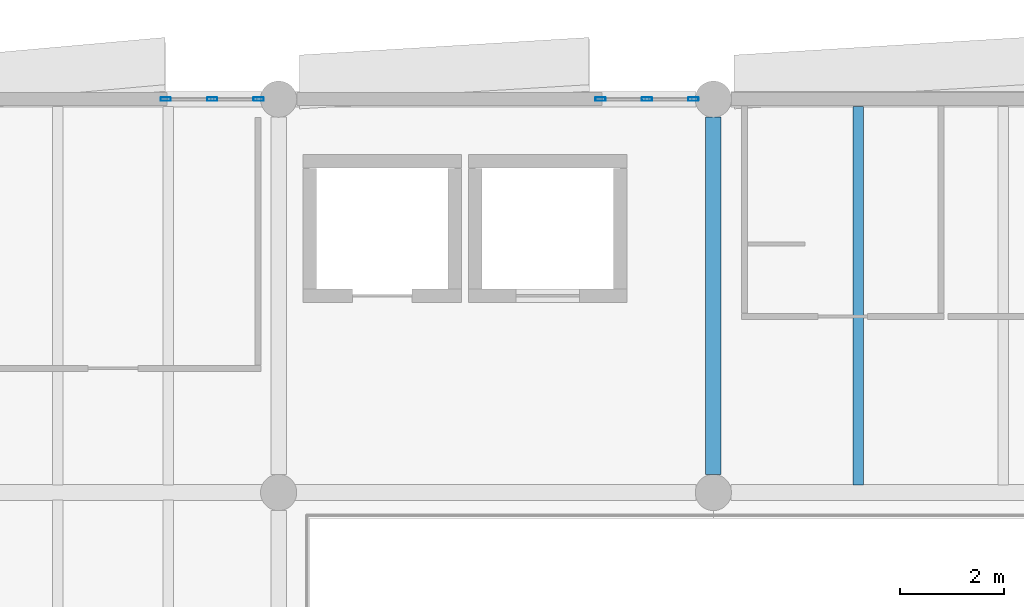
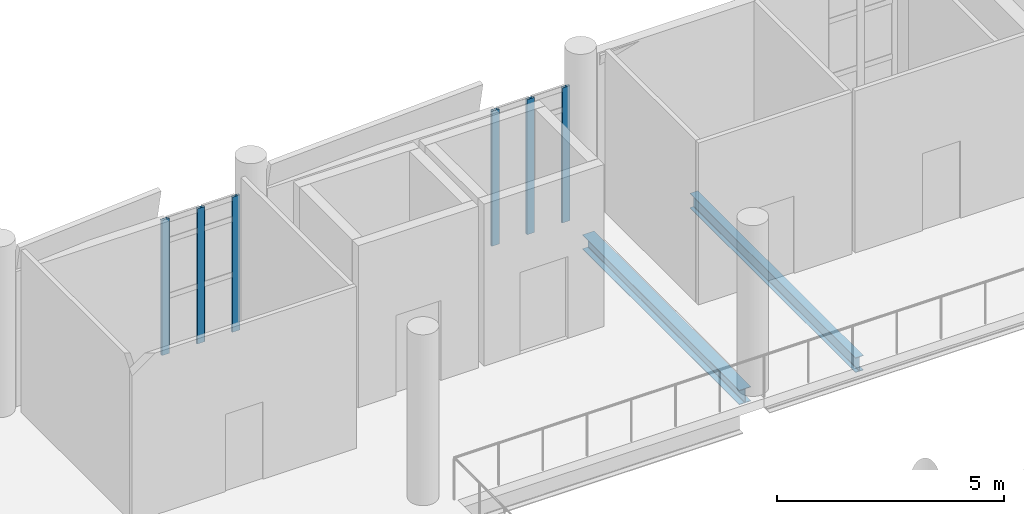
# One storey, part 24 of 74: 6 members, 2 beams, 2 elements without a shape of their own.
"""IFC4 building model written with IfcOpenShell, lengths in metres."""

from ifc_helpers import new_model, si_unit, direction, frame, origin, origin_2d, place, context, subcontext, project, spatial, hollow_rectangle, i_section, extrude, material, material_profile, profile_set, type_object, element, aggregate, save


model = new_model("IFC4")

# Units and contexts
model_context = context("Model", 3, precision=1e-05, world=origin(), true_north=direction((0.0, 1.0)))
body_context = subcontext(model_context, "Body", "Model", "MODEL_VIEW")
ifc_project = project(units=[si_unit("LENGTHUNIT", "METRE"), si_unit("AREAUNIT", "SQUARE_METRE"), si_unit("VOLUMEUNIT", "CUBIC_METRE"), si_unit("PLANEANGLEUNIT", "RADIAN"), si_unit("MASSUNIT", "GRAM", prefix="KILO")], contexts=[model_context])

# Site, building, storey
site_placement = place(None, origin())
site = spatial("IfcSite", under=ifc_project, at=site_placement, CompositionType="ELEMENT")
building_placement = place(site_placement, origin())
building = spatial("IfcBuilding", under=site, at=building_placement, Name="Shengluoqiao Park Theatre", CompositionType="ELEMENT")
storey_placement = place(building_placement, frame((0.0, 0.0, 14.60009765625)))
storey = spatial("IfcBuildingStorey", under=building, at=storey_placement, Name="L03", CompositionType="ELEMENT", Elevation=14.60009765625)

# Curtain wall, members
ifc_material_1 = material(Name="Aluminium 6063-T6", Category="aluminium")
curtain_wall_type = type_object("IfcCurtainWallType", Name="ENV-CW-FOYER", PredefinedType="NOTDEFINED", material=ifc_material_1)
curtain_wall_1_placement = place(storey_placement, origin())
curtain_wall_1 = element("IfcCurtainWall", 1, at=curtain_wall_1_placement, inside=storey, type_object=curtain_wall_type, Name="L03 Curtain Wall CW-L03-0077", PredefinedType="NOTDEFINED")
ifc_material_profile_1 = material_profile(ifc_material_1, hollow_rectangle(XDim=0.06494140625, YDim=0.199951171875, WallThickness=0.0048828125, InnerFilletRadius=0.0048828125, OuterFilletRadius=0.010009765625, at=origin_2d()), Name="ALU MULLION 200x65x5")
ifc_profile_set_1 = profile_set([ifc_material_profile_1], Name="Aluminium 6063-T6")
member_type = type_object("IfcMemberType", Name="ENV-MUL-200", PredefinedType="MULLION", material=ifc_profile_set_1)
member_1_placement = place(storey_placement, frame((17.0185546875, 76.0, 0.0), z_axis=(0.0, 0.0, 1.0), x_axis=(0.0, 1.0, 0.0)))
member_1 = element("IfcMember", 2, at=member_1_placement, type_object=member_type, Name="CW-01 mullion 1", PredefinedType="MULLION", context=body_context, shape_type="SweptSolid", body=[
    extrude(hollow_rectangle(XDim=0.06494140625, YDim=0.199951171875, WallThickness=0.0048828125, InnerFilletRadius=0.0048828125, OuterFilletRadius=0.010009765625, at=origin_2d()), origin(), (0.0, 0.0, 1.0), 3.637939453125),
])
member_2_placement = place(storey_placement, frame((17.916015625, 76.0, 0.0), z_axis=(0.0, 0.0, 1.0), x_axis=(0.0, 1.0, 0.0)))
member_2 = element("IfcMember", 3, at=member_2_placement, type_object=member_type, Name="CW-01 mullion 2", PredefinedType="MULLION", context=body_context, shape_type="SweptSolid", body=[
    extrude(hollow_rectangle(XDim=0.06494140625, YDim=0.199951171875, WallThickness=0.0048828125, InnerFilletRadius=0.0048828125, OuterFilletRadius=0.010009765625, at=origin_2d()), origin(), (0.0, 0.0, 1.0), 3.637939453125),
])
member_3_placement = place(storey_placement, frame((18.8134765625, 76.0, 0.0), z_axis=(0.0, 0.0, 1.0), x_axis=(0.0, 1.0, 0.0)))
member_3 = element("IfcMember", 4, at=member_3_placement, type_object=member_type, Name="CW-01 mullion 3", PredefinedType="MULLION", context=body_context, shape_type="SweptSolid", body=[
    extrude(hollow_rectangle(XDim=0.06494140625, YDim=0.199951171875, WallThickness=0.0048828125, InnerFilletRadius=0.0048828125, OuterFilletRadius=0.010009765625, at=origin_2d()), origin(), (0.0, 0.0, 1.0), 3.637939453125),
])
aggregate(curtain_wall_1, [member_1, member_2, member_3])

curtain_wall_2_placement = place(storey_placement, origin())
curtain_wall_2 = element("IfcCurtainWall", 5, at=curtain_wall_2_placement, inside=storey, type_object=curtain_wall_type, Name="L03 Curtain Wall CW-L03-0078", PredefinedType="NOTDEFINED")
member_4_placement = place(storey_placement, frame((25.41845703125, 76.0, 0.0), z_axis=(0.0, 0.0, 1.0), x_axis=(0.0, 1.0, 0.0)))
member_4 = element("IfcMember", 6, at=member_4_placement, type_object=member_type, Name="CW-01 mullion 1", PredefinedType="MULLION", context=body_context, shape_type="SweptSolid", body=[
    extrude(hollow_rectangle(XDim=0.06494140625, YDim=0.199951171875, WallThickness=0.0048828125, InnerFilletRadius=0.0048828125, OuterFilletRadius=0.010009765625, at=origin_2d()), origin(), (0.0, 0.0, 1.0), 3.637939453125),
])
member_5_placement = place(storey_placement, frame((26.31591796875, 76.0, 0.0), z_axis=(0.0, 0.0, 1.0), x_axis=(0.0, 1.0, 0.0)))
member_5 = element("IfcMember", 7, at=member_5_placement, type_object=member_type, Name="CW-01 mullion 2", PredefinedType="MULLION", context=body_context, shape_type="SweptSolid", body=[
    extrude(hollow_rectangle(XDim=0.06494140625, YDim=0.199951171875, WallThickness=0.0048828125, InnerFilletRadius=0.0048828125, OuterFilletRadius=0.010009765625, at=origin_2d()), origin(), (0.0, 0.0, 1.0), 3.637939453125),
])
member_6_placement = place(storey_placement, frame((27.21337890625, 76.0, 0.0), z_axis=(0.0, 0.0, 1.0), x_axis=(0.0, 1.0, 0.0)))
member_6 = element("IfcMember", 8, at=member_6_placement, type_object=member_type, Name="CW-01 mullion 3", PredefinedType="MULLION", context=body_context, shape_type="SweptSolid", body=[
    extrude(hollow_rectangle(XDim=0.06494140625, YDim=0.199951171875, WallThickness=0.0048828125, InnerFilletRadius=0.0048828125, OuterFilletRadius=0.010009765625, at=origin_2d()), origin(), (0.0, 0.0, 1.0), 3.637939453125),
])
aggregate(curtain_wall_2, [member_4, member_5, member_6])

# Beams
ifc_material_2 = material(Name="Steel Q355", Category="steel")
ifc_material_profile_2 = material_profile(ifc_material_2, i_section(OverallWidth=0.300048828125, OverallDepth=0.389892578125, WebThickness=0.010009765625, FlangeThickness=0.01611328125, FilletRadius=0.01806640625, at=origin_2d()), Name="HM 390x300x10x16")
ifc_profile_set_2 = profile_set([ifc_material_profile_2], Name="Steel Q355")
beam_type_1 = type_object("IfcBeamType", Name="STR-BM-G-HM390", PredefinedType="BEAM", material=ifc_profile_set_2)
beam_1_placement = place(storey_placement, frame((27.60009765625, 68.743896484375, -0.43505859375), z_axis=(0.0, 1.0, 0.0), x_axis=(-1.0, 0.0, 0.0)))
element("IfcBeam", 9, at=beam_1_placement, inside=storey, type_object=beam_type_1, Name="L03 Transverse Girder 01319", PredefinedType="BEAM", context=body_context, shape_type="SweptSolid", body=[
    extrude(i_section(OverallWidth=0.300048828125, OverallDepth=0.389892578125, WebThickness=0.010009765625, FlangeThickness=0.01611328125, FilletRadius=0.01806640625, at=origin_2d()), origin(), (0.0, 0.0, 1.0), 6.912109375),
])
ifc_material_profile_3 = material_profile(ifc_material_2, i_section(OverallWidth=0.199951171875, OverallDepth=0.39990234375, WebThickness=0.008056640625, FlangeThickness=0.012939453125, FilletRadius=0.01611328125, at=origin_2d()), Name="HN 400x200x8x13")
ifc_profile_set_3 = profile_set([ifc_material_profile_3], Name="Steel Q355")
beam_type_2 = type_object("IfcBeamType", Name="STR-BM-J-HN400", PredefinedType="JOIST", material=ifc_profile_set_3)
beam_2_placement = place(storey_placement, frame((30.39990234375, 68.544921875, -0.440185546875), z_axis=(0.0, 1.0, 0.0), x_axis=(-1.0, 0.0, 0.0)))
element("IfcBeam", 10, at=beam_2_placement, inside=storey, type_object=beam_type_2, Name="L03 Composite Joist 01349", PredefinedType="JOIST", context=body_context, shape_type="SweptSolid", body=[
    extrude(i_section(OverallWidth=0.199951171875, OverallDepth=0.39990234375, WebThickness=0.008056640625, FlangeThickness=0.012939453125, FilletRadius=0.01611328125, at=origin_2d()), origin(), (0.0, 0.0, 1.0), 7.31005859375),
])

save(model, "model.ifc")
